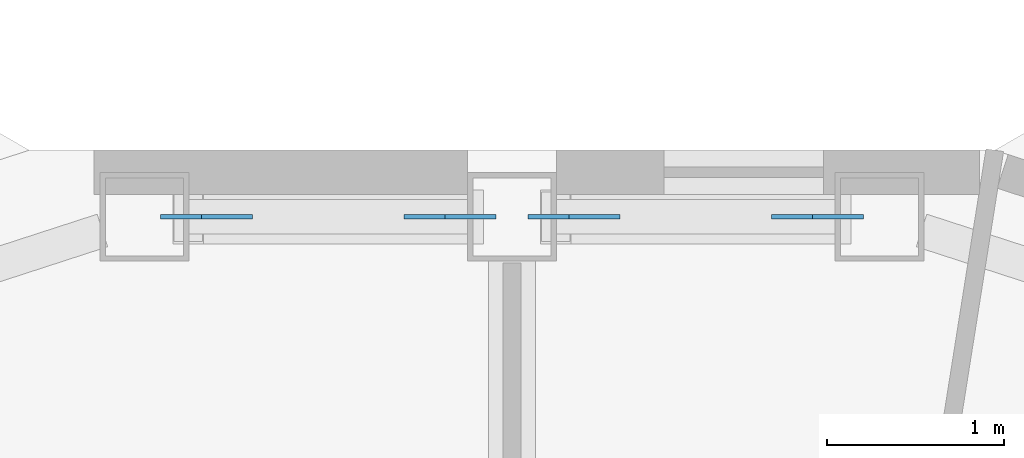
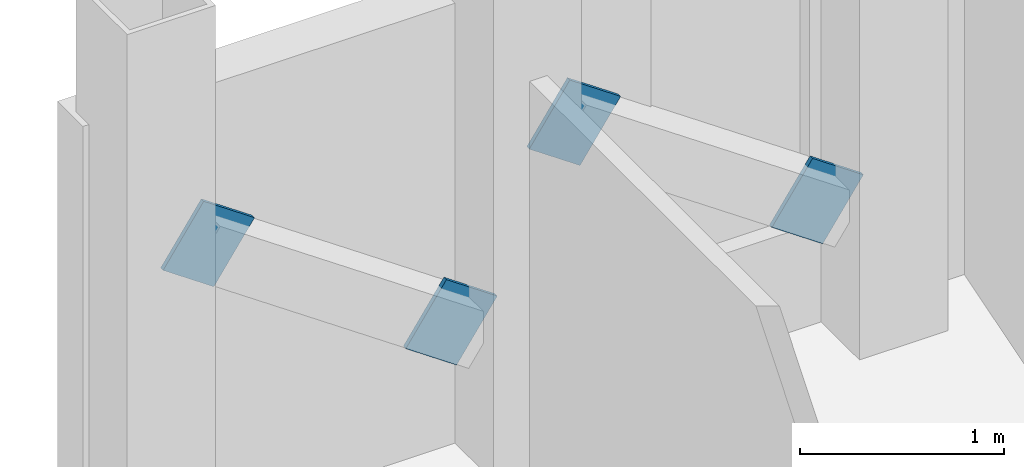
# One storey, part 20 of 26: 4 discrete accessories.
"""IFC4 building model written with IfcOpenShell, lengths in metres."""

from ifc_helpers import new_model, si_unit, direction, frame, origin, origin_2d, place, context, subcontext, project, spatial, rectangle, extrude, material, material_profile, profile_set, type_object, element, save


model = new_model("IFC4")

# Units and contexts
model_context = context("Model", 3, precision=1e-05, world=origin(), true_north=direction((0.0, 1.0)))
body_context = subcontext(model_context, "Body", "Model", "MODEL_VIEW")
ifc_project = project(units=[si_unit("LENGTHUNIT", "METRE"), si_unit("AREAUNIT", "SQUARE_METRE"), si_unit("VOLUMEUNIT", "CUBIC_METRE"), si_unit("PLANEANGLEUNIT", "RADIAN"), si_unit("MASSUNIT", "GRAM", prefix="KILO")], contexts=[model_context])

# Site, building, storey
site_placement = place(None, origin())
site = spatial("IfcSite", under=ifc_project, at=site_placement, CompositionType="ELEMENT")
building_placement = place(site_placement, origin())
building = spatial("IfcBuilding", under=site, at=building_placement, Name="Cormorant Prow Tower", CompositionType="ELEMENT")
storey_placement = place(building_placement, frame((0.0, 0.0, 367.800048828125)))
storey = spatial("IfcBuildingStorey", under=building, at=storey_placement, Name="L82", CompositionType="ELEMENT", Elevation=367.800048828125)

# Discrete accessories
ifc_material = material(Name="Structural steel ASTM A500 Gr C", Category="steel")
ifc_material_profile = material_profile(ifc_material, rectangle(XDim=0.02490234375, YDim=0.405029296875, at=origin_2d()), Name="Gusset plate 25x405")
ifc_profile_set = profile_set([ifc_material_profile], Name="Structural steel ASTM A500 Gr C")
discrete_accessory_type = type_object("IfcDiscreteAccessoryType", Name="Gusset plate 25x405", PredefinedType="BRACKET", material=ifc_profile_set)
for number, where, z_axis, x_axis, name in (
    (1, (1.580322265625, 31.219482421875, 0.941162109375), (0.822593864641, 0.0, -0.568629346635), (0.0, 1.0, 0.0), "Gusset plate GP3 L82.N00.g0"),
    (2, (0.493408203125, 31.219482421875, 1.692626953125), (-0.822593864641, 0.0, 0.568629346635), (0.0, -1.0, 0.0), "Gusset plate GP3 L82.N00.g1"),
    (3, (-0.493408203125, 31.219482421875, 0.941162109375), (0.822593864641, 0.0, -0.568629346635), (0.0, 1.0, 0.0), "Gusset plate GP3 L82.N01.g0"),
    (4, (-1.580322265625, 31.219482421875, 1.692626953125), (-0.822593864641, 0.0, 0.568629346635), (0.0, -1.0, 0.0), "Gusset plate GP3 L82.N01.g1"),
):
    element("IfcDiscreteAccessory", number, at=place(storey_placement, frame(where, z_axis=z_axis, x_axis=x_axis)), inside=storey, type_object=discrete_accessory_type, Name=name, PredefinedType="BRACKET", context=body_context, shape_type="SweptSolid", body=[
        extrude(rectangle(XDim=0.02490234375, YDim=0.405029296875, at=origin_2d()), origin(), (0.0, 0.0, 1.0), 0.349853515625),
    ])

save(model, "model.ifc")
